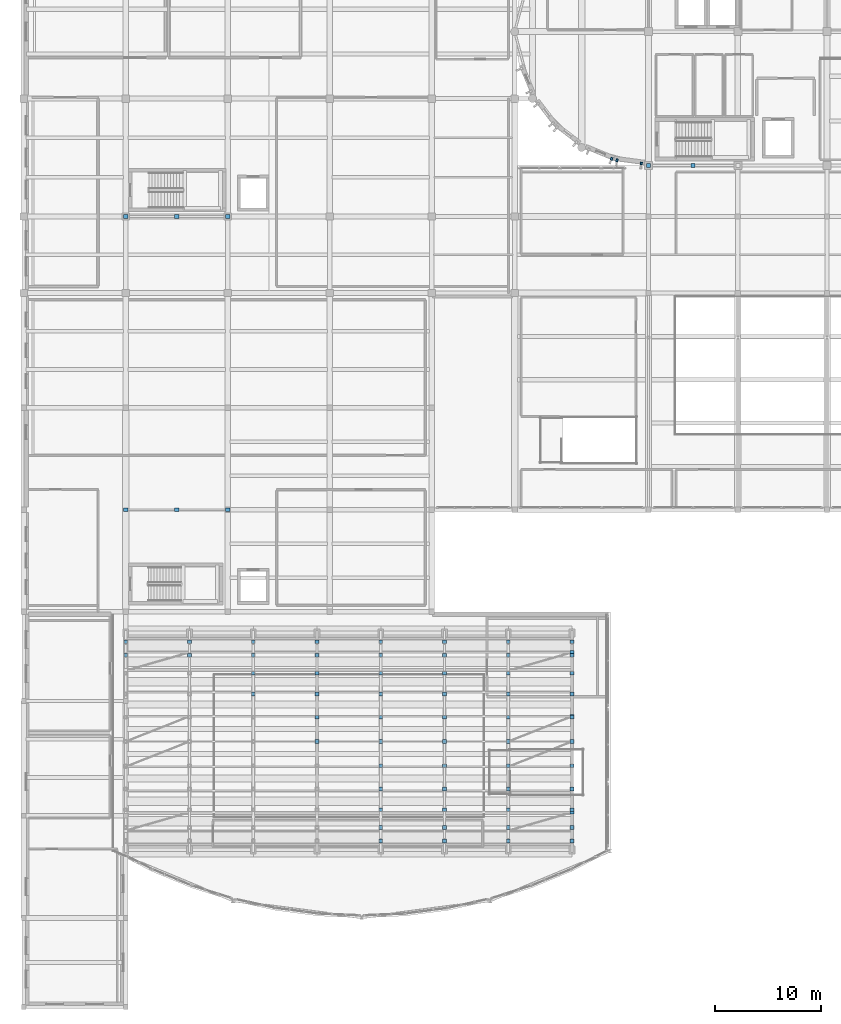
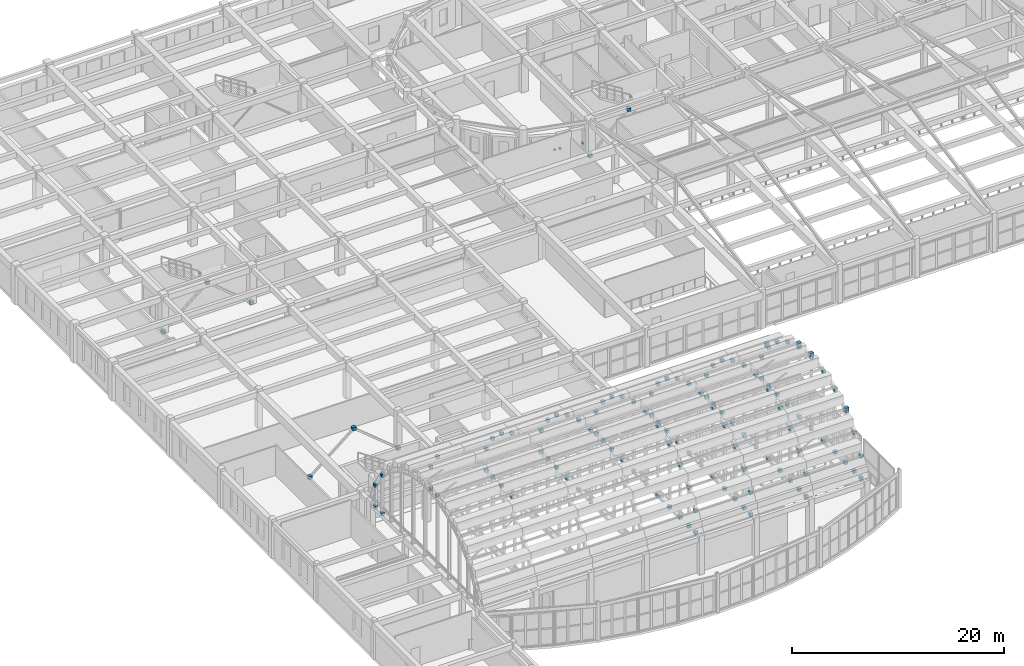
# One storey, part 77 of 91: 131 discrete accessories.
"""IFC4 building model written with IfcOpenShell, lengths in metres."""

from ifc_helpers import new_model, si_unit, direction, frame, origin, origin_2d, place, context, subcontext, project, spatial, rectangle, extrude, material, type_object, element, save


model = new_model("IFC4")

# Units and contexts
model_context = context("Model", 3, precision=1e-05, world=origin(), true_north=direction((0.0, 1.0)))
body_context = subcontext(model_context, "Body", "Model", "MODEL_VIEW")
ifc_project = project(units=[si_unit("LENGTHUNIT", "METRE"), si_unit("AREAUNIT", "SQUARE_METRE"), si_unit("VOLUMEUNIT", "CUBIC_METRE"), si_unit("PLANEANGLEUNIT", "RADIAN"), si_unit("MASSUNIT", "GRAM", prefix="KILO")], contexts=[model_context])

# Site, building, storey
site_placement = place(None, origin())
site = spatial("IfcSite", under=ifc_project, at=site_placement, CompositionType="ELEMENT")
building_placement = place(site_placement, origin())
building = spatial("IfcBuilding", under=site, at=building_placement, Name="Tarnavel Promenade Courthouse", CompositionType="ELEMENT")
storey_placement = place(building_placement, frame((0.0, 0.0, 9.89990234375)))
storey = spatial("IfcBuildingStorey", under=building, at=storey_placement, Name="L03", CompositionType="ELEMENT", Elevation=9.89990234375)

# Discrete accessories
ifc_material = material(Name="Steel S355J2", Category="steel")
discrete_accessory_type_1 = type_object("IfcDiscreteAccessoryType", Name="Steel S355J2 Facade Pier Anchor Bracket", PredefinedType="BRACKET", material=ifc_material)
for number, where, z_axis, x_axis, name in (
    (1, (55.318603515625, 79.828857421875, 1.55029296875), (0.0, 0.0, 1.0), (0.923879532511, -0.382683432365, 0.0), "L03 Drum Pier Bracket 0078"),
    (2, (55.82958984375, 79.69189453125, 1.60009765625), (0.0, 0.0, 1.0), (0.991444861374, -0.13052619222, 0.0), "L03 Drum Pier Bracket 0079"),
    (3, (58.1240234375, 79.389892578125, 1.60009765625), (0.0, 0.0, 1.0), (0.991444861374, -0.13052619222, 0.0), "L03 Drum Pier Bracket 0080"),
):
    element("IfcDiscreteAccessory", number, at=place(storey_placement, frame(where, z_axis=z_axis, x_axis=x_axis)), inside=storey, type_object=discrete_accessory_type_1, Name=name, PredefinedType="BRACKET", context=body_context, shape_type="SweptSolid", body=[
        extrude(rectangle(XDim=0.199951171875, YDim=0.260009765625, at=origin_2d()), origin(), (0.0, 0.0, 1.0), 0.179931640625),
    ])
discrete_accessory_type_2 = type_object("IfcDiscreteAccessoryType", Name="Steel S355J2 Structural Connection Bracket", PredefinedType="BRACKET", material=ifc_material)
for number, where, z_axis, x_axis, name in (
    (4, (58.800048828125, 79.199951171875, -0.044921875), (0.0, 0.0, 1.0), (1.0, 0.0, 0.0), "L03 V5 Chevron Brace Gusset Node 004-L"),
    (5, (63.0, 79.199951171875, 3.80517578125), (0.0, 0.0, 1.0), (1.0, 0.0, 0.0), "L03 V5 Chevron Brace Gusset Node 004-M"),
    (6, (9.60009765625, 74.39990234375, -0.18994140625), (0.0, 0.0, 1.0), (1.0, 0.0, 0.0), "L03 V2 Chevron Brace Gusset Node 031-L"),
    (7, (14.39990234375, 74.39990234375, 3.80517578125), (0.0, 0.0, 1.0), (1.0, 0.0, 0.0), "L03 V2 Chevron Brace Gusset Node 031-M"),
    (8, (19.199951171875, 74.39990234375, -0.18994140625), (0.0, 0.0, 1.0), (1.0, 0.0, 0.0), "L03 V2 Chevron Brace Gusset Node 031-R"),
    (9, (9.60009765625, 46.800048828125, -0.18994140625), (0.0, 0.0, 1.0), (1.0, 0.0, 0.0), "L03 V3 Chevron Brace Gusset Node 045-L"),
    (10, (14.39990234375, 46.800048828125, 3.755126953125), (0.0, 0.0, 1.0), (1.0, 0.0, 0.0), "L03 V3 Chevron Brace Gusset Node 045-M"),
    (11, (19.199951171875, 46.800048828125, -0.18994140625), (0.0, 0.0, 1.0), (1.0, 0.0, 0.0), "L03 V3 Chevron Brace Gusset Node 045-R"),
):
    element("IfcDiscreteAccessory", number, at=place(storey_placement, frame(where, z_axis=z_axis, x_axis=x_axis)), inside=storey, type_object=discrete_accessory_type_2, Name=name, PredefinedType="BRACKET", context=body_context, shape_type="SweptSolid", body=[
        extrude(rectangle(XDim=0.3798828125, YDim=0.360107421875, at=origin_2d()), origin(), (0.0, 0.0, 1.0), 0.3798828125),
    ])
for number, where, z_axis, x_axis, name in (
    (12, (9.60009765625, 33.09619140625, 3.9501953125), (0.0, 0.0, 1.0), (1.0, 0.0, 0.0), "V4 Vault Web Strut Node 01-10-B"),
    (13, (9.60009765625, 33.09619140625, 8.3955078125), (0.0, 0.0, 1.0), (1.0, 0.0, 0.0), "V4 Vault Web Strut Node 01-10-T"),
    (14, (9.60009765625, 34.37109375, 3.9501953125), (0.0, 0.0, 1.0), (1.0, 0.0, 0.0), "V4 Vault Web Strut Node 01-11-B"),
    (15, (9.60009765625, 34.37109375, 6.47802734375), (0.0, 0.0, 1.0), (1.0, 0.0, 0.0), "V4 Vault Web Strut Node 01-11-T"),
    (16, (15.60009765625, 33.09619140625, 3.9501953125), (0.0, 0.0, 1.0), (1.0, 0.0, 0.0), "V4 Vault Web Strut Node 02-10-B"),
    (17, (15.60009765625, 33.09619140625, 8.3955078125), (0.0, 0.0, 1.0), (1.0, 0.0, 0.0), "V4 Vault Web Strut Node 02-10-T"),
    (18, (15.60009765625, 34.37109375, 3.9501953125), (0.0, 0.0, 1.0), (1.0, 0.0, 0.0), "V4 Vault Web Strut Node 02-11-B"),
    (19, (15.60009765625, 34.37109375, 6.47802734375), (0.0, 0.0, 1.0), (1.0, 0.0, 0.0), "V4 Vault Web Strut Node 02-11-T"),
    (20, (21.60009765625, 29.468505859375, 3.9501953125), (0.0, 0.0, 1.0), (1.0, 0.0, 0.0), "V4 Vault Web Strut Node 03-08-B"),
    (21, (21.60009765625, 29.468505859375, 11.18701171875), (0.0, 0.0, 1.0), (1.0, 0.0, 0.0), "V4 Vault Web Strut Node 03-08-T"),
    (22, (21.60009765625, 31.435546875, 3.9501953125), (0.0, 0.0, 1.0), (1.0, 0.0, 0.0), "V4 Vault Web Strut Node 03-09-B"),
    (23, (21.60009765625, 31.435546875, 9.990234375), (0.0, 0.0, 1.0), (1.0, 0.0, 0.0), "V4 Vault Web Strut Node 03-09-T"),
    (24, (21.60009765625, 33.09619140625, 3.9501953125), (0.0, 0.0, 1.0), (1.0, 0.0, 0.0), "V4 Vault Web Strut Node 03-10-B"),
    (25, (21.60009765625, 33.09619140625, 8.3955078125), (0.0, 0.0, 1.0), (1.0, 0.0, 0.0), "V4 Vault Web Strut Node 03-10-T"),
    (26, (21.60009765625, 34.37109375, 3.9501953125), (0.0, 0.0, 1.0), (1.0, 0.0, 0.0), "V4 Vault Web Strut Node 03-11-B"),
    (27, (21.60009765625, 34.37109375, 6.47802734375), (0.0, 0.0, 1.0), (1.0, 0.0, 0.0), "V4 Vault Web Strut Node 03-11-T"),
    (28, (27.60009765625, 25.0, 3.9501953125), (0.0, 0.0, 1.0), (1.0, 0.0, 0.0), "V4 Vault Web Strut Node 04-06-B"),
    (29, (27.60009765625, 25.0, 12.18017578125), (0.0, 0.0, 1.0), (1.0, 0.0, 0.0), "V4 Vault Web Strut Node 04-06-T"),
    (30, (27.60009765625, 27.288818359375, 3.9501953125), (0.0, 0.0, 1.0), (1.0, 0.0, 0.0), "V4 Vault Web Strut Node 04-07-B"),
    (31, (27.60009765625, 27.288818359375, 11.9287109375), (0.0, 0.0, 1.0), (1.0, 0.0, 0.0), "V4 Vault Web Strut Node 04-07-T"),
    (32, (27.60009765625, 29.468505859375, 3.9501953125), (0.0, 0.0, 1.0), (1.0, 0.0, 0.0), "V4 Vault Web Strut Node 04-08-B"),
    (33, (27.60009765625, 29.468505859375, 11.18701171875), (0.0, 0.0, 1.0), (1.0, 0.0, 0.0), "V4 Vault Web Strut Node 04-08-T"),
    (34, (27.60009765625, 31.435546875, 3.9501953125), (0.0, 0.0, 1.0), (1.0, 0.0, 0.0), "V4 Vault Web Strut Node 04-09-B"),
    (35, (27.60009765625, 31.435546875, 9.990234375), (0.0, 0.0, 1.0), (1.0, 0.0, 0.0), "V4 Vault Web Strut Node 04-09-T"),
    (36, (27.60009765625, 33.09619140625, 3.9501953125), (0.0, 0.0, 1.0), (1.0, 0.0, 0.0), "V4 Vault Web Strut Node 04-10-B"),
    (37, (27.60009765625, 33.09619140625, 8.3955078125), (0.0, 0.0, 1.0), (1.0, 0.0, 0.0), "V4 Vault Web Strut Node 04-10-T"),
    (38, (27.60009765625, 34.37109375, 3.9501953125), (0.0, 0.0, 1.0), (1.0, 0.0, 0.0), "V4 Vault Web Strut Node 04-11-B"),
    (39, (27.60009765625, 34.37109375, 6.47802734375), (0.0, 0.0, 1.0), (1.0, 0.0, 0.0), "V4 Vault Web Strut Node 04-11-T"),
    (40, (33.60009765625, 15.62890625, 3.9501953125), (0.0, 0.0, 1.0), (1.0, 0.0, 0.0), "V4 Vault Web Strut Node 05-01-B"),
    (41, (33.60009765625, 15.62890625, 6.47802734375), (0.0, 0.0, 1.0), (1.0, 0.0, 0.0), "V4 Vault Web Strut Node 05-01-T"),
    (42, (33.60009765625, 16.90380859375, 3.9501953125), (0.0, 0.0, 1.0), (1.0, 0.0, 0.0), "V4 Vault Web Strut Node 05-02-B"),
    (43, (33.60009765625, 16.90380859375, 8.3955078125), (0.0, 0.0, 1.0), (1.0, 0.0, 0.0), "V4 Vault Web Strut Node 05-02-T"),
    (44, (33.60009765625, 18.564453125, 3.9501953125), (0.0, 0.0, 1.0), (1.0, 0.0, 0.0), "V4 Vault Web Strut Node 05-03-B"),
    (45, (33.60009765625, 18.564453125, 9.990234375), (0.0, 0.0, 1.0), (1.0, 0.0, 0.0), "V4 Vault Web Strut Node 05-03-T"),
    (46, (33.60009765625, 20.531494140625, 3.9501953125), (0.0, 0.0, 1.0), (1.0, 0.0, 0.0), "V4 Vault Web Strut Node 05-04-B"),
    (47, (33.60009765625, 20.531494140625, 11.18701171875), (0.0, 0.0, 1.0), (1.0, 0.0, 0.0), "V4 Vault Web Strut Node 05-04-T"),
    (48, (33.60009765625, 22.711181640625, 3.9501953125), (0.0, 0.0, 1.0), (1.0, 0.0, 0.0), "V4 Vault Web Strut Node 05-05-B"),
    (49, (33.60009765625, 22.711181640625, 11.9287109375), (0.0, 0.0, 1.0), (1.0, 0.0, 0.0), "V4 Vault Web Strut Node 05-05-T"),
    (50, (33.60009765625, 25.0, 3.9501953125), (0.0, 0.0, 1.0), (1.0, 0.0, 0.0), "V4 Vault Web Strut Node 05-06-B"),
    (51, (33.60009765625, 25.0, 12.18017578125), (0.0, 0.0, 1.0), (1.0, 0.0, 0.0), "V4 Vault Web Strut Node 05-06-T"),
    (52, (33.60009765625, 27.288818359375, 3.9501953125), (0.0, 0.0, 1.0), (1.0, 0.0, 0.0), "V4 Vault Web Strut Node 05-07-B"),
    (53, (33.60009765625, 27.288818359375, 11.9287109375), (0.0, 0.0, 1.0), (1.0, 0.0, 0.0), "V4 Vault Web Strut Node 05-07-T"),
    (54, (33.60009765625, 29.468505859375, 3.9501953125), (0.0, 0.0, 1.0), (1.0, 0.0, 0.0), "V4 Vault Web Strut Node 05-08-B"),
    (55, (33.60009765625, 29.468505859375, 11.18701171875), (0.0, 0.0, 1.0), (1.0, 0.0, 0.0), "V4 Vault Web Strut Node 05-08-T"),
    (56, (33.60009765625, 31.435546875, 3.9501953125), (0.0, 0.0, 1.0), (1.0, 0.0, 0.0), "V4 Vault Web Strut Node 05-09-B"),
    (57, (33.60009765625, 31.435546875, 9.990234375), (0.0, 0.0, 1.0), (1.0, 0.0, 0.0), "V4 Vault Web Strut Node 05-09-T"),
    (58, (33.60009765625, 33.09619140625, 3.9501953125), (0.0, 0.0, 1.0), (1.0, 0.0, 0.0), "V4 Vault Web Strut Node 05-10-B"),
    (59, (33.60009765625, 33.09619140625, 8.3955078125), (0.0, 0.0, 1.0), (1.0, 0.0, 0.0), "V4 Vault Web Strut Node 05-10-T"),
    (60, (33.60009765625, 34.37109375, 3.9501953125), (0.0, 0.0, 1.0), (1.0, 0.0, 0.0), "V4 Vault Web Strut Node 05-11-B"),
    (61, (33.60009765625, 34.37109375, 6.47802734375), (0.0, 0.0, 1.0), (1.0, 0.0, 0.0), "V4 Vault Web Strut Node 05-11-T"),
    (62, (39.60009765625, 15.62890625, 3.9501953125), (0.0, 0.0, 1.0), (1.0, 0.0, 0.0), "V4 Vault Web Strut Node 06-01-B"),
    (63, (39.60009765625, 15.62890625, 6.47802734375), (0.0, 0.0, 1.0), (1.0, 0.0, 0.0), "V4 Vault Web Strut Node 06-01-T"),
    (64, (39.60009765625, 16.90380859375, 3.9501953125), (0.0, 0.0, 1.0), (1.0, 0.0, 0.0), "V4 Vault Web Strut Node 06-02-B"),
    (65, (39.60009765625, 16.90380859375, 8.3955078125), (0.0, 0.0, 1.0), (1.0, 0.0, 0.0), "V4 Vault Web Strut Node 06-02-T"),
    (66, (39.60009765625, 18.564453125, 3.9501953125), (0.0, 0.0, 1.0), (1.0, 0.0, 0.0), "V4 Vault Web Strut Node 06-03-B"),
    (67, (39.60009765625, 18.564453125, 9.990234375), (0.0, 0.0, 1.0), (1.0, 0.0, 0.0), "V4 Vault Web Strut Node 06-03-T"),
    (68, (39.60009765625, 20.531494140625, 3.9501953125), (0.0, 0.0, 1.0), (1.0, 0.0, 0.0), "V4 Vault Web Strut Node 06-04-B"),
    (69, (39.60009765625, 20.531494140625, 11.18701171875), (0.0, 0.0, 1.0), (1.0, 0.0, 0.0), "V4 Vault Web Strut Node 06-04-T"),
    (70, (39.60009765625, 22.711181640625, 3.9501953125), (0.0, 0.0, 1.0), (1.0, 0.0, 0.0), "V4 Vault Web Strut Node 06-05-B"),
    (71, (39.60009765625, 22.711181640625, 11.9287109375), (0.0, 0.0, 1.0), (1.0, 0.0, 0.0), "V4 Vault Web Strut Node 06-05-T"),
    (72, (39.60009765625, 25.0, 3.9501953125), (0.0, 0.0, 1.0), (1.0, 0.0, 0.0), "V4 Vault Web Strut Node 06-06-B"),
    (73, (39.60009765625, 25.0, 12.18017578125), (0.0, 0.0, 1.0), (1.0, 0.0, 0.0), "V4 Vault Web Strut Node 06-06-T"),
    (74, (39.60009765625, 27.288818359375, 3.9501953125), (0.0, 0.0, 1.0), (1.0, 0.0, 0.0), "V4 Vault Web Strut Node 06-07-B"),
    (75, (39.60009765625, 27.288818359375, 11.9287109375), (0.0, 0.0, 1.0), (1.0, 0.0, 0.0), "V4 Vault Web Strut Node 06-07-T"),
    (76, (39.60009765625, 29.468505859375, 3.9501953125), (0.0, 0.0, 1.0), (1.0, 0.0, 0.0), "V4 Vault Web Strut Node 06-08-B"),
    (77, (39.60009765625, 29.468505859375, 11.18701171875), (0.0, 0.0, 1.0), (1.0, 0.0, 0.0), "V4 Vault Web Strut Node 06-08-T"),
    (78, (39.60009765625, 31.435546875, 3.9501953125), (0.0, 0.0, 1.0), (1.0, 0.0, 0.0), "V4 Vault Web Strut Node 06-09-B"),
    (79, (39.60009765625, 31.435546875, 9.990234375), (0.0, 0.0, 1.0), (1.0, 0.0, 0.0), "V4 Vault Web Strut Node 06-09-T"),
    (80, (39.60009765625, 33.09619140625, 3.9501953125), (0.0, 0.0, 1.0), (1.0, 0.0, 0.0), "V4 Vault Web Strut Node 06-10-B"),
    (81, (39.60009765625, 33.09619140625, 8.3955078125), (0.0, 0.0, 1.0), (1.0, 0.0, 0.0), "V4 Vault Web Strut Node 06-10-T"),
    (82, (39.60009765625, 34.37109375, 3.9501953125), (0.0, 0.0, 1.0), (1.0, 0.0, 0.0), "V4 Vault Web Strut Node 06-11-B"),
    (83, (39.60009765625, 34.37109375, 6.47802734375), (0.0, 0.0, 1.0), (1.0, 0.0, 0.0), "V4 Vault Web Strut Node 06-11-T"),
    (84, (45.60009765625, 15.62890625, 3.9501953125), (0.0, 0.0, 1.0), (1.0, 0.0, 0.0), "V4 Vault Web Strut Node 07-01-B"),
    (85, (45.60009765625, 15.62890625, 6.47802734375), (0.0, 0.0, 1.0), (1.0, 0.0, 0.0), "V4 Vault Web Strut Node 07-01-T"),
    (86, (45.60009765625, 16.90380859375, 3.9501953125), (0.0, 0.0, 1.0), (1.0, 0.0, 0.0), "V4 Vault Web Strut Node 07-02-B"),
    (87, (45.60009765625, 16.90380859375, 8.3955078125), (0.0, 0.0, 1.0), (1.0, 0.0, 0.0), "V4 Vault Web Strut Node 07-02-T"),
    (88, (45.60009765625, 18.564453125, 3.9501953125), (0.0, 0.0, 1.0), (1.0, 0.0, 0.0), "V4 Vault Web Strut Node 07-03-B"),
    (89, (45.60009765625, 18.564453125, 9.990234375), (0.0, 0.0, 1.0), (1.0, 0.0, 0.0), "V4 Vault Web Strut Node 07-03-T"),
    (90, (45.60009765625, 20.531494140625, 3.9501953125), (0.0, 0.0, 1.0), (1.0, 0.0, 0.0), "V4 Vault Web Strut Node 07-04-B"),
    (91, (45.60009765625, 20.531494140625, 11.18701171875), (0.0, 0.0, 1.0), (1.0, 0.0, 0.0), "V4 Vault Web Strut Node 07-04-T"),
    (92, (45.60009765625, 22.711181640625, 3.9501953125), (0.0, 0.0, 1.0), (1.0, 0.0, 0.0), "V4 Vault Web Strut Node 07-05-B"),
    (93, (45.60009765625, 22.711181640625, 11.9287109375), (0.0, 0.0, 1.0), (1.0, 0.0, 0.0), "V4 Vault Web Strut Node 07-05-T"),
    (94, (45.60009765625, 25.0, 3.9501953125), (0.0, 0.0, 1.0), (1.0, 0.0, 0.0), "V4 Vault Web Strut Node 07-06-B"),
    (95, (45.60009765625, 25.0, 12.18017578125), (0.0, 0.0, 1.0), (1.0, 0.0, 0.0), "V4 Vault Web Strut Node 07-06-T"),
    (96, (45.60009765625, 27.288818359375, 3.9501953125), (0.0, 0.0, 1.0), (1.0, 0.0, 0.0), "V4 Vault Web Strut Node 07-07-B"),
    (97, (45.60009765625, 27.288818359375, 11.9287109375), (0.0, 0.0, 1.0), (1.0, 0.0, 0.0), "V4 Vault Web Strut Node 07-07-T"),
    (98, (45.60009765625, 29.468505859375, 3.9501953125), (0.0, 0.0, 1.0), (1.0, 0.0, 0.0), "V4 Vault Web Strut Node 07-08-B"),
    (99, (45.60009765625, 29.468505859375, 11.18701171875), (0.0, 0.0, 1.0), (1.0, 0.0, 0.0), "V4 Vault Web Strut Node 07-08-T"),
    (100, (45.60009765625, 31.435546875, 3.9501953125), (0.0, 0.0, 1.0), (1.0, 0.0, 0.0), "V4 Vault Web Strut Node 07-09-B"),
    (101, (45.60009765625, 31.435546875, 9.990234375), (0.0, 0.0, 1.0), (1.0, 0.0, 0.0), "V4 Vault Web Strut Node 07-09-T"),
    (102, (45.60009765625, 33.09619140625, 3.9501953125), (0.0, 0.0, 1.0), (1.0, 0.0, 0.0), "V4 Vault Web Strut Node 07-10-B"),
    (103, (45.60009765625, 33.09619140625, 8.3955078125), (0.0, 0.0, 1.0), (1.0, 0.0, 0.0), "V4 Vault Web Strut Node 07-10-T"),
    (104, (45.60009765625, 34.37109375, 3.9501953125), (0.0, 0.0, 1.0), (1.0, 0.0, 0.0), "V4 Vault Web Strut Node 07-11-B"),
    (105, (45.60009765625, 34.37109375, 6.47802734375), (0.0, 0.0, 1.0), (1.0, 0.0, 0.0), "V4 Vault Web Strut Node 07-11-T"),
    (106, (51.60009765625, 15.62890625, 3.9501953125), (0.0, 0.0, 1.0), (1.0, 0.0, 0.0), "V4 Vault Web Strut Node 08-01-B"),
    (107, (51.60009765625, 15.62890625, 6.47802734375), (0.0, 0.0, 1.0), (1.0, 0.0, 0.0), "V4 Vault Web Strut Node 08-01-T"),
    (108, (51.60009765625, 16.90380859375, 3.9501953125), (0.0, 0.0, 1.0), (1.0, 0.0, 0.0), "V4 Vault Web Strut Node 08-02-B"),
    (109, (51.60009765625, 16.90380859375, 8.3955078125), (0.0, 0.0, 1.0), (1.0, 0.0, 0.0), "V4 Vault Web Strut Node 08-02-T"),
    (110, (51.60009765625, 18.564453125, 3.9501953125), (0.0, 0.0, 1.0), (1.0, 0.0, 0.0), "V4 Vault Web Strut Node 08-03-B"),
    (111, (51.60009765625, 18.564453125, 9.990234375), (0.0, 0.0, 1.0), (1.0, 0.0, 0.0), "V4 Vault Web Strut Node 08-03-T"),
    (112, (51.60009765625, 20.531494140625, 3.9501953125), (0.0, 0.0, 1.0), (1.0, 0.0, 0.0), "V4 Vault Web Strut Node 08-04-B"),
    (113, (51.60009765625, 20.531494140625, 11.18701171875), (0.0, 0.0, 1.0), (1.0, 0.0, 0.0), "V4 Vault Web Strut Node 08-04-T"),
    (114, (51.60009765625, 22.711181640625, 3.9501953125), (0.0, 0.0, 1.0), (1.0, 0.0, 0.0), "V4 Vault Web Strut Node 08-05-B"),
    (115, (51.60009765625, 22.711181640625, 11.9287109375), (0.0, 0.0, 1.0), (1.0, 0.0, 0.0), "V4 Vault Web Strut Node 08-05-T"),
    (116, (51.60009765625, 25.0, 3.9501953125), (0.0, 0.0, 1.0), (1.0, 0.0, 0.0), "V4 Vault Web Strut Node 08-06-B"),
    (117, (51.60009765625, 25.0, 12.18017578125), (0.0, 0.0, 1.0), (1.0, 0.0, 0.0), "V4 Vault Web Strut Node 08-06-T"),
    (118, (51.60009765625, 27.288818359375, 3.9501953125), (0.0, 0.0, 1.0), (1.0, 0.0, 0.0), "V4 Vault Web Strut Node 08-07-B"),
    (119, (51.60009765625, 27.288818359375, 11.9287109375), (0.0, 0.0, 1.0), (1.0, 0.0, 0.0), "V4 Vault Web Strut Node 08-07-T"),
    (120, (51.60009765625, 29.468505859375, 3.9501953125), (0.0, 0.0, 1.0), (1.0, 0.0, 0.0), "V4 Vault Web Strut Node 08-08-B"),
    (121, (51.60009765625, 29.468505859375, 11.18701171875), (0.0, 0.0, 1.0), (1.0, 0.0, 0.0), "V4 Vault Web Strut Node 08-08-T"),
    (122, (51.60009765625, 31.435546875, 3.9501953125), (0.0, 0.0, 1.0), (1.0, 0.0, 0.0), "V4 Vault Web Strut Node 08-09-B"),
    (123, (51.60009765625, 31.435546875, 9.990234375), (0.0, 0.0, 1.0), (1.0, 0.0, 0.0), "V4 Vault Web Strut Node 08-09-T"),
    (124, (51.60009765625, 33.09619140625, 3.9501953125), (0.0, 0.0, 1.0), (1.0, 0.0, 0.0), "V4 Vault Web Strut Node 08-10-B"),
    (125, (51.60009765625, 33.09619140625, 8.3955078125), (0.0, 0.0, 1.0), (1.0, 0.0, 0.0), "V4 Vault Web Strut Node 08-10-T"),
    (126, (51.60009765625, 34.37109375, 3.9501953125), (0.0, 0.0, 1.0), (1.0, 0.0, 0.0), "V4 Vault Web Strut Node 08-11-B"),
    (127, (51.60009765625, 34.37109375, 6.47802734375), (0.0, 0.0, 1.0), (1.0, 0.0, 0.0), "V4 Vault Web Strut Node 08-11-T"),
):
    element("IfcDiscreteAccessory", number, at=place(storey_placement, frame(where, z_axis=z_axis, x_axis=x_axis)), inside=storey, type_object=discrete_accessory_type_2, Name=name, PredefinedType="BRACKET", context=body_context, shape_type="SweptSolid", body=[
        extrude(rectangle(XDim=0.340087890625, YDim=0.340087890625, at=origin_2d()), origin(), (0.0, 0.0, 1.0), 0.340087890625),
    ])
for number, where, z_axis, x_axis, name in (
    (128, (51.60009765625, 18.332763671875, 10.0615234375), (0.0, 0.0, 1.0), (1.0, 0.0, 0.0), "V4 Vault Gable Brace Cap Node 07-02"),
    (129, (51.60009765625, 25.0, 12.330078125), (0.0, 0.0, 1.0), (1.0, 0.0, 0.0), "V4 Vault Gable Brace Cap Node 07-05"),
    (130, (51.60009765625, 27.37109375, 12.06982421875), (0.0, 0.0, 1.0), (1.0, 0.0, 0.0), "V4 Vault Gable Brace Cap Node 07-06"),
    (131, (51.60009765625, 33.3876953125, 8.4091796875), (0.0, 0.0, 1.0), (1.0, 0.0, 0.0), "V4 Vault Gable Brace Cap Node 07-09"),
):
    element("IfcDiscreteAccessory", number, at=place(storey_placement, frame(where, z_axis=z_axis, x_axis=x_axis)), inside=storey, type_object=discrete_accessory_type_2, Name=name, PredefinedType="BRACKET", context=body_context, shape_type="SweptSolid", body=[
        extrude(rectangle(XDim=0.360107421875, YDim=0.360107421875, at=origin_2d()), origin(), (0.0, 0.0, 1.0), 0.56005859375),
    ])

save(model, "model.ifc")
